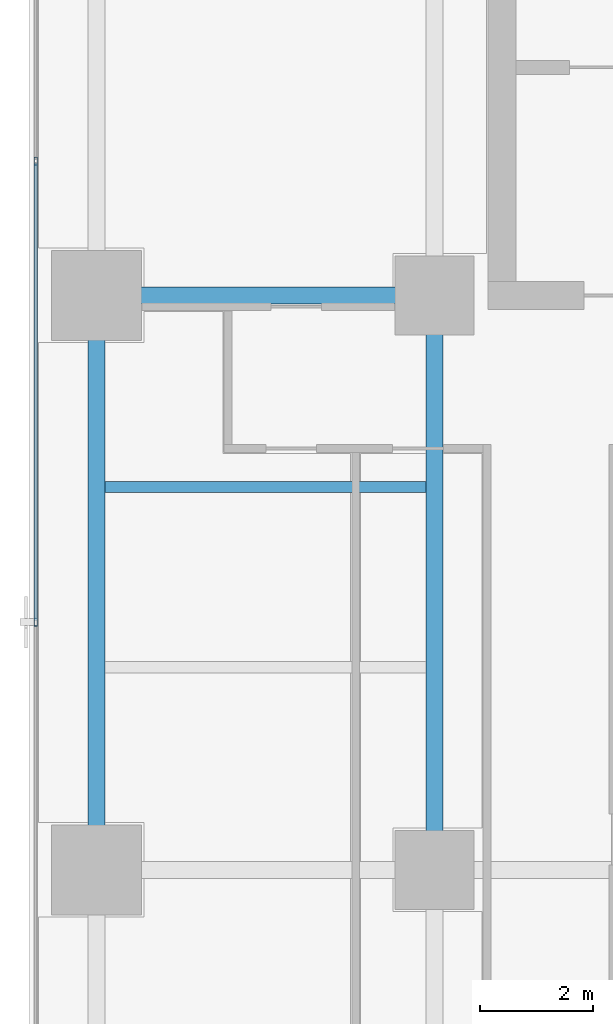
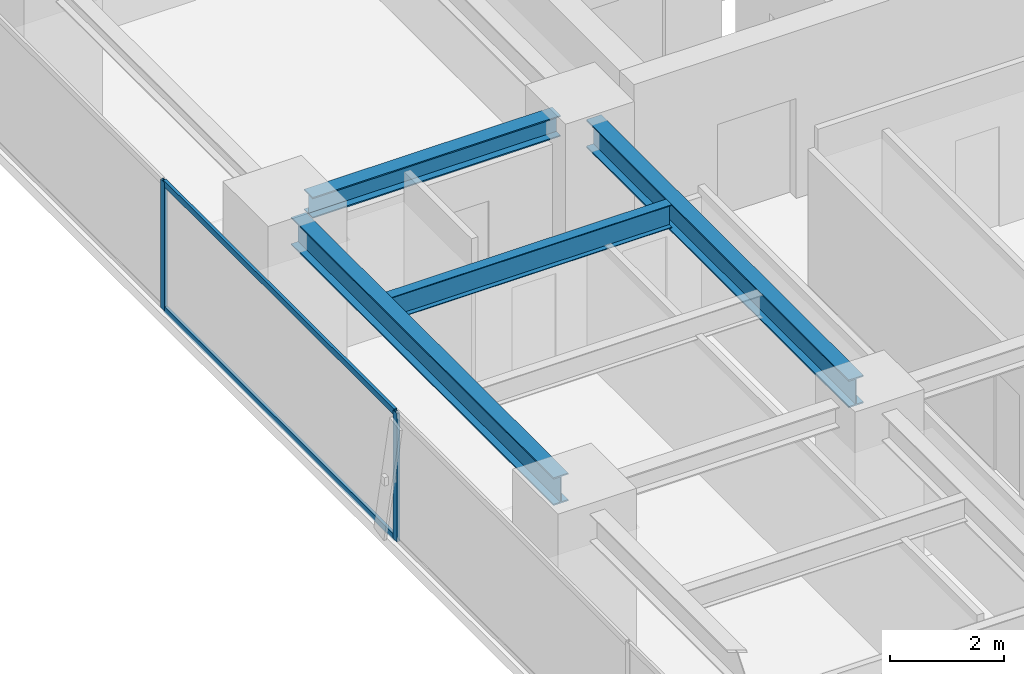
# One storey, part 8 of 29: 4 beams, 4 members, 1 element without a shape of its own.
"""IFC4 building model written with IfcOpenShell, lengths in metres."""

from ifc_helpers import new_model, si_unit, direction, frame, origin, origin_2d, place, context, subcontext, project, spatial, hollow_rectangle, i_section, extrude, source, transform, mapped, material, layer, layer_set, material_profile, profile_set, type_object, element, aggregate, save


model = new_model("IFC4")

# Units and contexts
model_context = context("Model", 3, precision=1e-05, world=origin(), true_north=direction((0.0, 1.0)))
body_context = subcontext(model_context, "Body", "Model", "MODEL_VIEW")
ifc_project = project(units=[si_unit("LENGTHUNIT", "METRE"), si_unit("AREAUNIT", "SQUARE_METRE"), si_unit("VOLUMEUNIT", "CUBIC_METRE"), si_unit("PLANEANGLEUNIT", "RADIAN"), si_unit("MASSUNIT", "GRAM", prefix="KILO")], contexts=[model_context])

# Site, building, storey
site_placement = place(None, origin())
site = spatial("IfcSite", under=ifc_project, at=site_placement, CompositionType="ELEMENT")
building_placement = place(site_placement, origin())
building = spatial("IfcBuilding", under=site, at=building_placement, Name="Sumidabori Civic Tower", CompositionType="ELEMENT")
storey_placement = place(building_placement, frame((0.0, 0.0, 203.60009765625)))
storey = spatial("IfcBuildingStorey", under=building, at=storey_placement, Name="L52", CompositionType="ELEMENT", Elevation=203.60009765625)

# Beams
ifc_material_1 = material(Name="Steel SN490", Category="steel")
ifc_material_profile_1 = material_profile(ifc_material_1, i_section(OverallWidth=0.300048828125, OverallDepth=0.60009765625, WebThickness=0.015380859375, FlangeThickness=0.030029296875, at=origin_2d()), Name="HE 600 B")
ifc_profile_set_1 = profile_set([ifc_material_profile_1], Name="Steel SN490")
beam_type_1 = type_object("IfcBeamType", Name="BM-GIRD-600", PredefinedType="BEAM", material=ifc_profile_set_1)
shared_shape_1 = source(origin(), body_context, "Body", "SweptSolid", [
    extrude(i_section(OverallWidth=0.300048828125, OverallDepth=0.60009765625, WebThickness=0.015380859375, FlangeThickness=0.030029296875, at=origin_2d()), origin(), (0.0, 0.0, 1.0), 9.239990234375),
])
for number, where, z_axis, x_axis, name in (
    (1, (-22.800048828125, 0.47998046875, 3.079833984375), (0.0, 1.0, 0.0), (-1.0, 0.0, 0.0), "Primary Girder L52 GY-12"),
    (2, (-16.800048828125, 0.47998046875, 3.079833984375), (0.0, 1.0, 0.0), (-1.0, 0.0, 0.0), "Primary Girder L52 GY-15"),
):
    element("IfcBeam", number, at=place(storey_placement, frame(where, z_axis=z_axis, x_axis=x_axis)), inside=storey, type_object=beam_type_1, Name=name, PredefinedType="BEAM", context=body_context, shape_type="MappedRepresentation", body=[
        mapped(shared_shape_1, transform((0.0, 0.0, 0.0), x_axis=(1.0, 0.0, 0.0), y_axis=(0.0, 1.0, 0.0), z_axis=(0.0, 0.0, 1.0), scale=1.0)),
    ])
ifc_material_profile_2 = material_profile(ifc_material_1, i_section(OverallWidth=0.199951171875, OverallDepth=0.5, WebThickness=0.01025390625, FlangeThickness=0.01611328125, at=origin_2d()), Name="IPE 500")
ifc_profile_set_2 = profile_set([ifc_material_profile_2], Name="Steel SN490")
beam_type_2 = type_object("IfcBeamType", Name="BM-JST-500", PredefinedType="JOIST", material=ifc_profile_set_2)
shared_shape_2 = source(origin(), body_context, "Body", "SweptSolid", [
    extrude(i_section(OverallWidth=0.199951171875, OverallDepth=0.5, WebThickness=0.01025390625, FlangeThickness=0.01611328125, at=origin_2d()), origin(), (0.0, 0.0, 1.0), 5.699951171875),
])
beam_1_placement = place(storey_placement, frame((-22.64990234375, 6.800048828125, 3.1298828125), z_axis=(1.0, 0.0, 0.0), x_axis=(0.0, 1.0, 0.0)))
element("IfcBeam", 3, at=beam_1_placement, inside=storey, type_object=beam_type_2, Name="Outer Bay Floor Joist L52 JSTO-31", PredefinedType="JOIST", context=body_context, shape_type="MappedRepresentation", body=[
    mapped(shared_shape_2, transform((0.0, 0.0, 0.0), x_axis=(1.0, 0.0, 0.0), y_axis=(0.0, 1.0, 0.0), z_axis=(0.0, 0.0, 1.0), scale=1.0)),
])
ifc_material_profile_3 = material_profile(ifc_material_1, i_section(OverallWidth=0.300048828125, OverallDepth=0.449951171875, WebThickness=0.013916015625, FlangeThickness=0.02587890625, at=origin_2d()), Name="HE 450 B")
ifc_profile_set_3 = profile_set([ifc_material_profile_3], Name="Steel SN490")
beam_type_3 = type_object("IfcBeamType", Name="BM-GIRD-450", PredefinedType="BEAM", material=ifc_profile_set_3)
shared_shape_3 = source(origin(), body_context, "Body", "SweptSolid", [
    extrude(i_section(OverallWidth=0.300048828125, OverallDepth=0.449951171875, WebThickness=0.013916015625, FlangeThickness=0.02587890625, at=origin_2d()), origin(), (0.0, 0.0, 1.0), 5.0400390625),
])
beam_2_placement = place(storey_placement, frame((-22.320068359375, 10.199951171875, 3.15478515625), z_axis=(1.0, 0.0, 0.0), x_axis=(0.0, 1.0, 0.0)))
element("IfcBeam", 4, at=beam_2_placement, inside=storey, type_object=beam_type_3, Name="Primary Girder L52 GX-09", PredefinedType="BEAM", context=body_context, shape_type="MappedRepresentation", body=[
    mapped(shared_shape_3, transform((0.0, 0.0, 0.0), x_axis=(1.0, 0.0, 0.0), y_axis=(0.0, 1.0, 0.0), z_axis=(0.0, 0.0, 1.0), scale=1.0)),
])

# Curtain wall, members
ifc_material_2 = material(Name="Anodised Bronze Aluminium AW-6063-T6", Category="aluminium")
ifc_layer = layer(ifc_material_2, 0.179931640625, Name="Anodised Bronze Aluminium AW-6063-T6")
ifc_layer_set = layer_set([ifc_layer], Name="Anodised Bronze Aluminium AW-6063-T6")
curtain_wall_type = type_object("IfcCurtainWallType", Name="CW-SYS-5", PredefinedType="NOTDEFINED", material=ifc_layer_set)
curtain_wall_placement = place(storey_placement, origin())
curtain_wall = element("IfcCurtainWall", 5, at=curtain_wall_placement, inside=storey, type_object=curtain_wall_type, Name="Curtain Wall CW:L52:R16", PredefinedType="NOTDEFINED")
ifc_material_profile_4 = material_profile(ifc_material_2, hollow_rectangle(XDim=0.06005859375, YDim=0.139892578125, WallThickness=0.0048828125, at=origin_2d()), Name="ALU MULLION 140x60")
ifc_profile_set_4 = profile_set([ifc_material_profile_4], Name="Anodised Bronze Aluminium AW-6063-T6")
member_type_1 = type_object("IfcMemberType", Name="CW-MUL-140", PredefinedType="MULLION", material=ifc_profile_set_4)
shared_shape_4 = source(origin(), body_context, "Body", "SweptSolid", [
    extrude(hollow_rectangle(XDim=0.06005859375, YDim=0.139892578125, WallThickness=0.0048828125, at=origin_2d()), origin(), (0.0, 0.0, 1.0), 2.760009765625),
])
member_1_placement = place(storey_placement, frame((-23.8798828125, 12.5849609375, 0.0), z_axis=(0.0, 0.0, 1.0), x_axis=(1.0, 0.0, 0.0)))
member_1 = element("IfcMember", 6, at=member_1_placement, type_object=member_type_1, Name="CW-5 mullion 2", PredefinedType="MULLION", context=body_context, shape_type="MappedRepresentation", body=[
    mapped(shared_shape_4, transform((0.0, 0.0, 0.0), x_axis=(1.0, 0.0, 0.0), y_axis=(0.0, 1.0, 0.0), z_axis=(0.0, 0.0, 1.0), scale=1.0)),
])
member_2_placement = place(storey_placement, frame((-23.8798828125, 4.39990234375, 0.0), z_axis=(0.0, 0.0, 1.0), x_axis=(1.0, 0.0, 0.0)))
member_2 = element("IfcMember", 7, at=member_2_placement, type_object=member_type_1, Name="CW-5 mullion 3", PredefinedType="MULLION", context=body_context, shape_type="MappedRepresentation", body=[
    mapped(shared_shape_4, transform((0.0, 0.0, 0.0), x_axis=(1.0, 0.0, 0.0), y_axis=(0.0, 1.0, 0.0), z_axis=(0.0, 0.0, 1.0), scale=1.0)),
])
ifc_material_profile_5 = material_profile(ifc_material_2, hollow_rectangle(XDim=0.06005859375, YDim=0.1298828125, WallThickness=0.0048828125, at=origin_2d()), Name="ALU TRANSOM 130x60")
ifc_profile_set_5 = profile_set([ifc_material_profile_5], Name="Anodised Bronze Aluminium AW-6063-T6")
member_type_2 = type_object("IfcMemberType", Name="CW-TRN-130", PredefinedType="USERDEFINED", material=ifc_profile_set_5)
shared_shape_5 = source(origin(), body_context, "Body", "SweptSolid", [
    extrude(hollow_rectangle(XDim=0.06005859375, YDim=0.1298828125, WallThickness=0.0048828125, at=origin_2d()), origin(), (0.0, 0.0, 1.0), 8.125),
])
member_3_placement = place(storey_placement, frame((-23.8798828125, 12.554931640625, 0.02978515625), z_axis=(0.0, -1.0, 0.0), x_axis=(1.0, 0.0, 0.0)))
member_3 = element("IfcMember", 8, at=member_3_placement, type_object=member_type_2, Name="CW-5 transom 2.1", ObjectType="TRANSOM", PredefinedType="USERDEFINED", context=body_context, shape_type="MappedRepresentation", body=[
    mapped(shared_shape_5, transform((0.0, 0.0, 0.0), x_axis=(1.0, 0.0, 0.0), y_axis=(0.0, 1.0, 0.0), z_axis=(0.0, 0.0, 1.0), scale=1.0)),
])
member_4_placement = place(storey_placement, frame((-23.8798828125, 12.554931640625, 2.72998046875), z_axis=(0.0, -1.0, 0.0), x_axis=(1.0, 0.0, 0.0)))
member_4 = element("IfcMember", 9, at=member_4_placement, type_object=member_type_2, Name="CW-5 transom 2.2", ObjectType="TRANSOM", PredefinedType="USERDEFINED", context=body_context, shape_type="MappedRepresentation", body=[
    mapped(shared_shape_5, transform((0.0, 0.0, 0.0), x_axis=(1.0, 0.0, 0.0), y_axis=(0.0, 1.0, 0.0), z_axis=(0.0, 0.0, 1.0), scale=1.0)),
])
aggregate(curtain_wall, [member_1, member_2, member_3, member_4])

save(model, "model.ifc")
